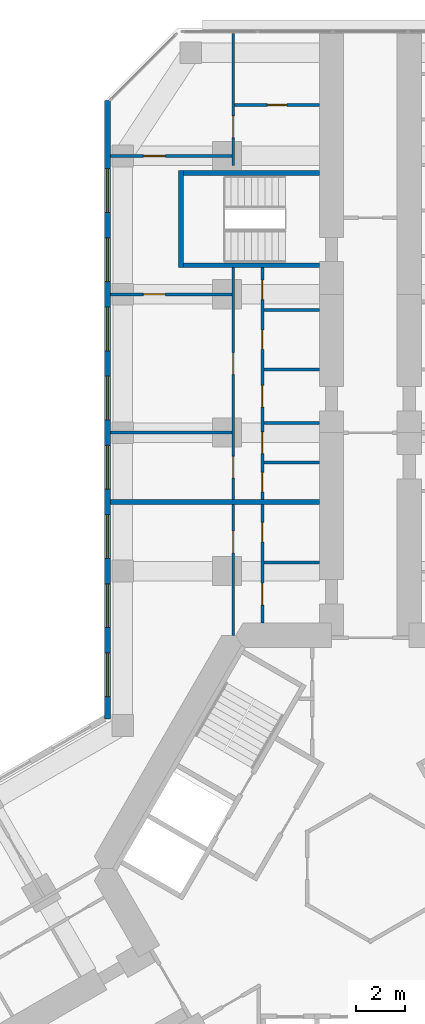
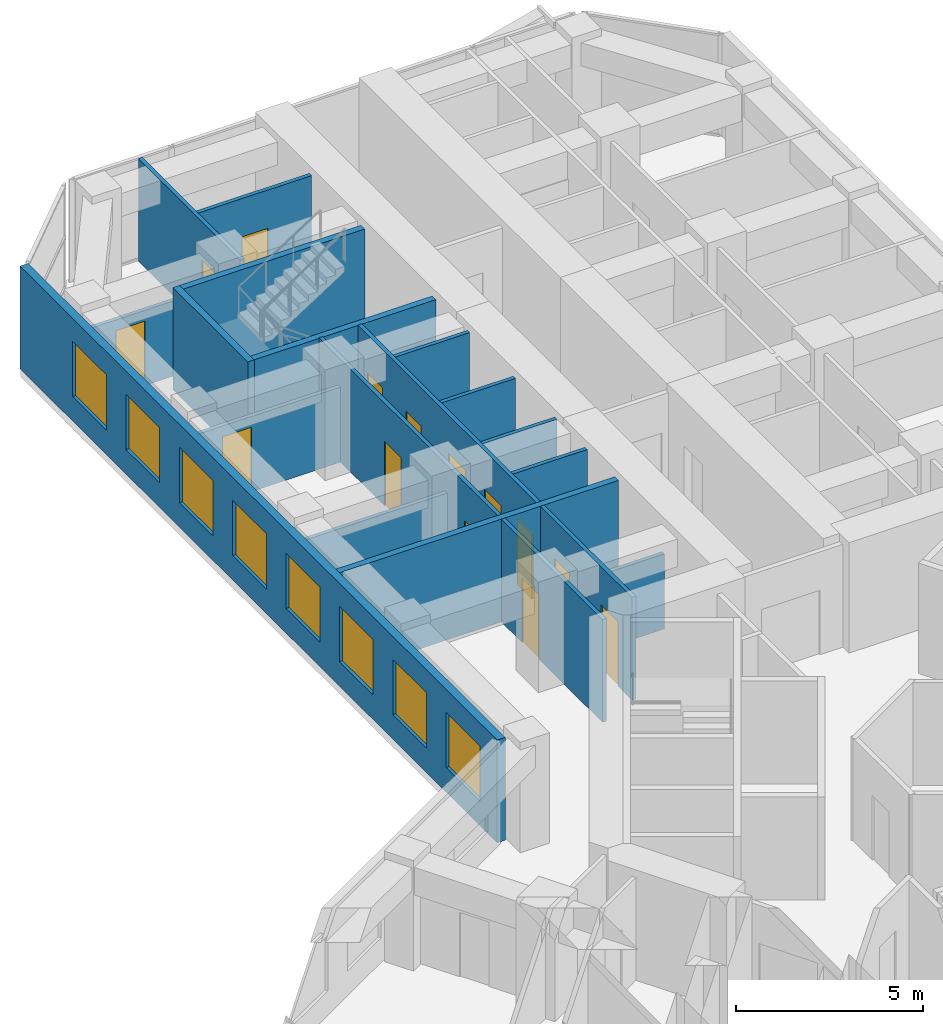
# One storey, part 17 of 21: 19 walls, 14 doors, 8 windows, 22 openings.
"""IFC4 building model written with IfcOpenShell, lengths in metres."""

import ifcopenshell
import ifcopenshell.guid

model = None  # the IFC model being written
_history = None  # IfcOwnerHistory: only IFC2X3 demands one
_inside = {}  # id of a spatial element -> (the spatial element, [elements in it])
_under = {}  # id of a project, library or spatial element -> (it, [spatial elements below it])
_declared = {}  # id of a project -> (the project, [libraries it declares])
_typed = {}  # id of a type object -> (the type object, [elements of that type])
_made_of = {}  # id of a material, layer set ... -> (it, [elements and type objects made of it])


def new_model(schema):
    """Start an empty IFC model of exactly this schema.

    Asked for "IFC4X3", IfcOpenShell would pick the latest addendum, in which some entities
    have other attributes; the version numbers below select the first issue.
    IFC2X3 requires an IfcOwnerHistory on every rooted entity: one is made here for all.
    """
    global model, _history
    if schema == "IFC4X3":
        model = ifcopenshell.file(schema_version=(4, 3, 0, 0))
    else:
        model = ifcopenshell.file(schema=schema)
    _inside.clear()
    _under.clear()
    _declared.clear()
    _typed.clear()
    _made_of.clear()
    _history = None
    if model.schema == "IFC2X3":
        org = make("IfcOrganization", Name="unknown")
        user = make(
            "IfcPersonAndOrganization",
            ThePerson=make("IfcPerson", FamilyName="unknown"),
            TheOrganization=org,
        )
        app = make(
            "IfcApplication",
            ApplicationDeveloper=org,
            Version="unknown",
            ApplicationFullName="unknown",
            ApplicationIdentifier="unknown",
        )
        _history = make(
            "IfcOwnerHistory",
            OwningUser=user,
            OwningApplication=app,
            ChangeAction="ADDED",
            CreationDate=0,
        )
    return model


def make(cls, **values):
    """One entity of the class cls with the attributes given. An attribute that is None is left unset."""
    return model.create_entity(
        cls, **{name: value for name, value in values.items() if value is not None}
    )


def rooted(cls, **values):
    """An entity with a GlobalId (a new one), such as an element, a storey or a relation."""
    return make(cls, GlobalId=ifcopenshell.guid.new(), OwnerHistory=_history, **values)


def si_unit(unit_type, name, prefix=None):
    """IfcSIUnit, for example si_unit("LENGTHUNIT", "METRE", prefix="MILLI")."""
    return make("IfcSIUnit", UnitType=unit_type, Prefix=prefix, Name=name)


def assignment(units):
    """IfcUnitAssignment: the units of a project."""
    return None if units is None else make("IfcUnitAssignment", Units=units)


def point(xyz):
    """IfcCartesianPoint."""
    return None if xyz is None else make("IfcCartesianPoint", Coordinates=xyz)


def direction(xyz):
    """IfcDirection."""
    return None if xyz is None else make("IfcDirection", DirectionRatios=xyz)


def frame(location, z_axis=None, x_axis=None):
    """IfcAxis2Placement3D, a coordinate frame: its origin and axes. An axis left out is left unset."""
    return make(
        "IfcAxis2Placement3D",
        Location=point(location),
        Axis=direction(z_axis),
        RefDirection=direction(x_axis),
    )


def frame_2d(location, x_axis=None):
    """IfcAxis2Placement2D, a coordinate frame in the plane: its origin and x axis."""
    return make(
        "IfcAxis2Placement2D", Location=point(location), RefDirection=direction(x_axis)
    )


def origin():
    """The frame at (0, 0, 0) with its axes left unset."""
    return frame((0.0, 0.0, 0.0))


def place(relative_to, where):
    """IfcLocalPlacement: puts the frame where relative to a parent placement (None: the world)."""
    return make(
        "IfcLocalPlacement", PlacementRelTo=relative_to, RelativePlacement=where
    )


def context(
    kind, dimensions, precision=None, world=None, true_north=None, identifier=None
):
    """IfcGeometricRepresentationContext, for example the 3D "Model" context."""
    return make(
        "IfcGeometricRepresentationContext",
        ContextIdentifier=identifier,
        ContextType=kind,
        CoordinateSpaceDimension=dimensions,
        Precision=precision,
        WorldCoordinateSystem=world,
        TrueNorth=true_north,
    )


def subcontext(parent, identifier, kind, view, scale=None):
    """IfcGeometricRepresentationSubContext, for example "Body" below "Model"."""
    return make(
        "IfcGeometricRepresentationSubContext",
        ContextIdentifier=identifier,
        ContextType=kind,
        ParentContext=parent,
        TargetScale=scale,
        TargetView=view,
    )


def project(units=None, contexts=None):
    """IfcProject with its units and contexts."""
    return rooted(
        "IfcProject",
        Name="project",
        RepresentationContexts=contexts,
        UnitsInContext=assignment(units),
    )


def spatial(cls, under=None, at=None, **own):
    """A site, building, storey or space (cls), placed at a placement, below another one or the project."""
    s = rooted(cls, ObjectPlacement=at, **own)
    if under is not None:
        _under.setdefault(under.id(), (under, []))[1].append(s)
    return s


def profile(cls, at=None, kind="AREA", **sizes):
    """A parametric profile (cls). Its sizes go by their IFC names, for example OverallWidth=200.0."""
    return make(cls, ProfileType=kind, Position=at, **sizes)


def rectangle(**sizes):
    """IfcRectangleProfileDef."""
    return profile("IfcRectangleProfileDef", **sizes)


def extrude(swept, where, along, depth):
    """IfcExtrudedAreaSolid: the profile swept, set in the frame where, extruded along a direction by depth."""
    return make(
        "IfcExtrudedAreaSolid",
        SweptArea=swept,
        Position=where,
        ExtrudedDirection=direction(along),
        Depth=depth,
    )


def shape(context_of_items, identifier, shape_type, items):
    """IfcShapeRepresentation: the items that make up one representation, for example the "Body"."""
    return make(
        "IfcShapeRepresentation",
        ContextOfItems=context_of_items,
        RepresentationIdentifier=identifier,
        RepresentationType=shape_type,
        Items=items,
    )


def material(Name=None, Category=None):
    """IfcMaterial."""
    return make("IfcMaterial", Name=Name, Category=Category)


def layer(
    of_material, thickness, ventilated=None, Name=None, Category=None, Priority=None
):
    """IfcMaterialLayer: one layer of a wall or slab, of a material (None: an air gap)."""
    return make(
        "IfcMaterialLayer",
        Material=of_material,
        LayerThickness=thickness,
        IsVentilated=ventilated,
        Name=Name,
        Category=Category,
        Priority=Priority,
    )


def layer_set(layers, Name=None):
    """IfcMaterialLayerSet."""
    return make("IfcMaterialLayerSet", MaterialLayers=layers, LayerSetName=Name)


def made_of(thing, what):
    """Note that an element or type object is made of a material, layer set ...; save() writes the relation."""
    if what is not None:
        _made_of.setdefault(what.id(), (what, []))[1].append(thing)
    return thing


def type_object(cls, material=None, **own):
    """A type object (cls), such as IfcWallType, which elements share."""
    return made_of(rooted(cls, **own), material)


def element(
    cls,
    number,
    at=None,
    inside=None,
    cuts=None,
    type_object=None,
    material=None,
    context=None,
    identifier="Body",
    shape_type=None,
    held_by="IfcProductDefinitionShape",
    body=None,
    shapes=None,
    **own,
):
    """One element of the class cls, such as IfcWall. Its Tag is "e" and its number.

    at: its placement. inside: the storey or other place that contains it. cuts: it is an
    opening in that element (IfcRelVoidsElement). A single representation is given by context,
    identifier, shape_type and body (its items); several are given by shapes. held_by: the class
    of the entity that holds the representations. save() writes the other relations.
    """
    e = rooted(cls, Tag="e%d" % number, ObjectPlacement=at, **own)
    if body is not None:
        shapes = [shape(context, identifier, shape_type, body)]
    if shapes is not None:
        e.Representation = make(held_by, Representations=shapes)
    if inside is not None:
        _inside.setdefault(inside.id(), (inside, []))[1].append(e)
    if cuts is not None:
        rooted(
            "IfcRelVoidsElement", RelatingBuildingElement=cuts, RelatedOpeningElement=e
        )
    if type_object is not None:
        _typed.setdefault(type_object.id(), (type_object, []))[1].append(e)
    return made_of(e, material)


def fill(opening, filler):
    """IfcRelFillsElement: the door or window that sits in an opening."""
    return rooted(
        "IfcRelFillsElement",
        RelatingOpeningElement=opening,
        RelatedBuildingElement=filler,
    )


def aggregate(whole, parts):
    """IfcRelAggregates: a whole, such as a stair, and the parts it consists of."""
    return rooted("IfcRelAggregates", RelatingObject=whole, RelatedObjects=parts)


def save(model, path):
    """Write the relations noted so far, then the file.

    IfcRelAggregates (storeys below a building ...), IfcRelContainedInSpatialStructure (elements
    in a storey), IfcRelDefinesByType, IfcRelAssociatesMaterial and IfcRelDeclares: one each for
    every whole, place, type object, material and project.
    """
    for whole, parts in _under.values():
        aggregate(whole, parts)
    for where, things in _inside.values():
        rooted(
            "IfcRelContainedInSpatialStructure",
            RelatedElements=things,
            RelatingStructure=where,
        )
    for kind, things in _typed.values():
        rooted("IfcRelDefinesByType", RelatedObjects=things, RelatingType=kind)
    for what, things in _made_of.values():
        rooted("IfcRelAssociatesMaterial", RelatedObjects=things, RelatingMaterial=what)
    for by, libraries in _declared.values():
        rooted("IfcRelDeclares", RelatingContext=by, RelatedDefinitions=libraries)
    model.write(path)


model = new_model("IFC4")

# Units and contexts
model_context = context("Model", 3, precision=1e-05, world=origin(), true_north=direction((0.0, 1.0)))
body_context = subcontext(model_context, "Body", "Model", "MODEL_VIEW")
ifc_project = project(units=[si_unit("LENGTHUNIT", "METRE"), si_unit("AREAUNIT", "SQUARE_METRE"), si_unit("VOLUMEUNIT", "CUBIC_METRE"), si_unit("PLANEANGLEUNIT", "RADIAN"), si_unit("MASSUNIT", "GRAM", prefix="KILO")], contexts=[model_context])

# Site, building, storey
site_placement = place(None, origin())
site = spatial("IfcSite", under=ifc_project, at=site_placement, CompositionType="ELEMENT")
building_placement = place(site_placement, origin())
building = spatial("IfcBuilding", under=site, at=building_placement, Name="Kosmar Iwan School Tower", CompositionType="ELEMENT")
storey_placement = place(building_placement, frame((0.0, 0.0, 102.39990234375)))
storey = spatial("IfcBuildingStorey", under=building, at=storey_placement, Name="L25", CompositionType="ELEMENT", Elevation=102.39990234375)

# Wall, openings, doors
ifc_material_1 = material(Name="Gypsum board on steel studs", Category="steel")
ifc_layer_1 = layer(ifc_material_1, 0.1201171875)
ifc_layer_set_1 = layer_set([ifc_layer_1], Name="Dwelling partition 120")
wall_type_1 = type_object("IfcWallType", Name="Dwelling partition 120", PredefinedType="PARTITIONING", material=ifc_layer_set_1)
wall_1_placement = place(storey_placement, frame((-4.449951171875, 10.10009765625, 0.0), z_axis=(0.0, 0.0, 1.0), x_axis=(0.0, 1.0, 0.0)))
wall_1 = element("IfcWall", 1, at=wall_1_placement, inside=storey, type_object=wall_type_1, Name="Partition L25-AL1-W1", PredefinedType="PARTITIONING", context=body_context, shape_type="SweptSolid", body=[
    extrude(rectangle(XDim=4.89990234375, YDim=0.1201171875, at=frame_2d((2.449951171875, 0.0))), origin(), (0.0, 0.0, 1.0), 3.35009765625),
])
opening_1_placement = place(wall_1_placement, frame((0.75, 0.0, 0.0)))
opening_1 = element("IfcOpeningElement", 2, at=opening_1_placement, cuts=wall_1, Name="Opening D2", PredefinedType="OPENING", context=body_context, shape_type="SweptSolid", body=[
    extrude(rectangle(XDim=0.89990234375, YDim=2.10009765625, at=frame_2d((0.449951171875, 1.050048828125))), frame((0.0, 0.072021484375, 0.0), z_axis=(0.0, -1.0, 0.0), x_axis=(1.0, 0.0, 0.0)), (0.0, 0.0, 1.0), 0.14404296875),
])
opening_2_placement = place(wall_1_placement, frame((3.35009765625, 0.0, 0.0)))
opening_2 = element("IfcOpeningElement", 3, at=opening_2_placement, cuts=wall_1, Name="Opening D3", PredefinedType="OPENING", context=body_context, shape_type="SweptSolid", body=[
    extrude(rectangle(XDim=0.800048828125, YDim=2.10009765625, at=frame_2d((0.39990234375, 1.050048828125))), frame((0.0, 0.072021484375, 0.0), z_axis=(0.0, -1.0, 0.0), x_axis=(1.0, 0.0, 0.0)), (0.0, 0.0, 1.0), 0.14404296875),
])
ifc_material_2 = material(Name="Timber door in timber frame", Category="wood")
door_type_1 = type_object("IfcDoorType", Name="Internal door 900x2100", OperationType="SINGLE_SWING_LEFT", PredefinedType="DOOR", material=ifc_material_2)
door_1_placement = place(opening_1_placement, origin())
door_1 = element("IfcDoor", 4, at=door_1_placement, inside=storey, type_object=door_type_1, Name="Entrance hall door L25-AL1-S1", OperationType="SINGLE_SWING_LEFT", OverallHeight=2.10009765625, OverallWidth=0.89990234375, PredefinedType="DOOR", context=body_context, shape_type="SweptSolid", body=[
    extrude(rectangle(XDim=0.89990234375, YDim=2.10009765625, at=frame_2d((0.449951171875, 1.050048828125))), frame((0.0, 0.02490234375, 0.0), z_axis=(0.0, -1.0, 0.0), x_axis=(1.0, 0.0, 0.0)), (0.0, 0.0, 1.0), 0.050048828125),
])
fill(opening_1, door_1)
ifc_material_3 = material(Name="Timber door in timber frame", Category="wood")
door_type_2 = type_object("IfcDoorType", Name="Sanitary room door 800x2100", OperationType="SINGLE_SWING_LEFT", PredefinedType="DOOR", material=ifc_material_3)
door_2_placement = place(opening_2_placement, origin())
door_2 = element("IfcDoor", 5, at=door_2_placement, inside=storey, type_object=door_type_2, Name="Bathroom door L25-AL1-S2", OperationType="SINGLE_SWING_RIGHT", OverallHeight=2.10009765625, OverallWidth=0.800048828125, PredefinedType="DOOR", context=body_context, shape_type="SweptSolid", body=[
    extrude(rectangle(XDim=0.800048828125, YDim=2.10009765625, at=frame_2d((0.39990234375, 1.050048828125))), frame((0.0, 0.02490234375, 0.0), z_axis=(0.0, -1.0, 0.0), x_axis=(1.0, 0.0, 0.0)), (0.0, 0.0, 1.0), 0.050048828125),
])
fill(opening_2, door_2)

# Wall, opening, door
wall_2_placement = place(storey_placement, frame((-5.64990234375, 9.60009765625, 0.0), z_axis=(0.0, 0.0, 1.0), x_axis=(0.0, 1.0, 0.0)))
wall_2 = element("IfcWall", 6, at=wall_2_placement, inside=storey, type_object=wall_type_1, Name="Partition L25-AL1-W2", PredefinedType="PARTITIONING", context=body_context, shape_type="SweptSolid", body=[
    extrude(rectangle(XDim=5.39990234375, YDim=0.1201171875, at=frame_2d((2.699951171875, 0.0))), origin(), (0.0, 0.0, 1.0), 3.35009765625),
])
opening_3_placement = place(wall_2_placement, frame((3.39990234375, 0.0, 0.0)))
opening_3 = element("IfcOpeningElement", 7, at=opening_3_placement, cuts=wall_2, Name="Opening D2", PredefinedType="OPENING", context=body_context, shape_type="SweptSolid", body=[
    extrude(rectangle(XDim=0.89990234375, YDim=2.10009765625, at=frame_2d((0.449951171875, 1.050048828125))), frame((0.0, 0.072021484375, 0.0), z_axis=(0.0, -1.0, 0.0), x_axis=(1.0, 0.0, 0.0)), (0.0, 0.0, 1.0), 0.14404296875),
])
door_3_placement = place(opening_3_placement, origin())
door_3 = element("IfcDoor", 8, at=door_3_placement, inside=storey, type_object=door_type_1, Name="Studio living room and kitchen door L25-AL1-F1", OperationType="SINGLE_SWING_RIGHT", OverallHeight=2.10009765625, OverallWidth=0.89990234375, PredefinedType="DOOR", context=body_context, shape_type="SweptSolid", body=[
    extrude(rectangle(XDim=0.89990234375, YDim=2.10009765625, at=frame_2d((0.449951171875, 1.050048828125))), frame((0.0, 0.02490234375, 0.0), z_axis=(0.0, -1.0, 0.0), x_axis=(1.0, 0.0, 0.0)), (0.0, 0.0, 1.0), 0.050048828125),
])
fill(opening_3, door_3)

# Wall
wall_3_placement = place(storey_placement, frame((-2.10009765625, 12.60009765625, 0.0), z_axis=(0.0, 0.0, 1.0), x_axis=(-1.0, 0.0, 0.0)))
element("IfcWall", 9, at=wall_3_placement, inside=storey, type_object=wall_type_1, Name="Partition L25-AL1-Y1", PredefinedType="PARTITIONING", context=body_context, shape_type="SweptSolid", body=[
    extrude(rectangle(XDim=2.289794921875, YDim=0.1201171875, at=frame_2d((1.14501953125, 0.0))), origin(), (0.0, 0.0, 1.0), 2.4501953125),
])

# Wall, openings, doors
wall_4_placement = place(storey_placement, frame((-4.449951171875, 15.199951171875, 0.0), z_axis=(0.0, 0.0, 1.0), x_axis=(0.0, 1.0, 0.0)))
wall_4 = element("IfcWall", 10, at=wall_4_placement, inside=storey, type_object=wall_type_1, Name="Partition L25-AL2-W1", PredefinedType="PARTITIONING", context=body_context, shape_type="SweptSolid", body=[
    extrude(rectangle(XDim=9.550048828125, YDim=0.1201171875, at=frame_2d((4.77490234375, 0.0))), origin(), (0.0, 0.0, 1.0), 3.35009765625),
])
opening_4_placement = place(wall_4_placement, frame((0.3125, 0.0, 0.0)))
opening_4 = element("IfcOpeningElement", 11, at=opening_4_placement, cuts=wall_4, Name="Opening D3", PredefinedType="OPENING", context=body_context, shape_type="SweptSolid", body=[
    extrude(rectangle(XDim=0.800048828125, YDim=2.10009765625, at=frame_2d((0.39990234375, 1.050048828125))), frame((0.0, 0.072021484375, 0.0), z_axis=(0.0, -1.0, 0.0), x_axis=(1.0, 0.0, 0.0)), (0.0, 0.0, 1.0), 0.14404296875),
])
opening_5_placement = place(wall_4_placement, frame((1.887451171875, 0.0, 0.0)))
opening_5 = element("IfcOpeningElement", 12, at=opening_5_placement, cuts=wall_4, Name="Opening D2", PredefinedType="OPENING", context=body_context, shape_type="SweptSolid", body=[
    extrude(rectangle(XDim=0.89990234375, YDim=2.10009765625, at=frame_2d((0.449951171875, 1.050048828125))), frame((0.0, 0.072021484375, 0.0), z_axis=(0.0, -1.0, 0.0), x_axis=(1.0, 0.0, 0.0)), (0.0, 0.0, 1.0), 0.14404296875),
])
opening_6_placement = place(wall_4_placement, frame((3.800048828125, 0.0, 0.0)))
opening_6 = element("IfcOpeningElement", 13, at=opening_6_placement, cuts=wall_4, Name="Opening D2", PredefinedType="OPENING", context=body_context, shape_type="SweptSolid", body=[
    extrude(rectangle(XDim=0.89990234375, YDim=2.10009765625, at=frame_2d((0.449951171875, 1.050048828125))), frame((0.0, 0.072021484375, 0.0), z_axis=(0.0, -1.0, 0.0), x_axis=(1.0, 0.0, 0.0)), (0.0, 0.0, 1.0), 0.14404296875),
])
opening_7_placement = place(wall_4_placement, frame((6.179931640625, 0.0, 0.0)))
opening_7 = element("IfcOpeningElement", 14, at=opening_7_placement, cuts=wall_4, Name="Opening D3", PredefinedType="OPENING", context=body_context, shape_type="SweptSolid", body=[
    extrude(rectangle(XDim=0.800048828125, YDim=2.10009765625, at=frame_2d((0.39990234375, 1.050048828125))), frame((0.0, 0.072021484375, 0.0), z_axis=(0.0, -1.0, 0.0), x_axis=(1.0, 0.0, 0.0)), (0.0, 0.0, 1.0), 0.14404296875),
])
opening_8_placement = place(wall_4_placement, frame((8.22998046875, 0.0, 0.0)))
opening_8 = element("IfcOpeningElement", 15, at=opening_8_placement, cuts=wall_4, Name="Opening D3", PredefinedType="OPENING", context=body_context, shape_type="SweptSolid", body=[
    extrude(rectangle(XDim=0.800048828125, YDim=2.10009765625, at=frame_2d((0.39990234375, 1.050048828125))), frame((0.0, 0.072021484375, 0.0), z_axis=(0.0, -1.0, 0.0), x_axis=(1.0, 0.0, 0.0)), (0.0, 0.0, 1.0), 0.14404296875),
])
door_4_placement = place(opening_5_placement, frame((0.89990234375, 0.0, 0.0), z_axis=(0.0, 0.0, 1.0), x_axis=(-1.0, 0.0, 0.0)))
door_4 = element("IfcDoor", 16, at=door_4_placement, inside=storey, type_object=door_type_1, Name="Pantry door L25-AL2-S2", OperationType="SINGLE_SWING_RIGHT", OverallHeight=2.10009765625, OverallWidth=0.89990234375, PredefinedType="DOOR", context=body_context, shape_type="SweptSolid", body=[
    extrude(rectangle(XDim=0.89990234375, YDim=2.10009765625, at=frame_2d((0.449951171875, 1.050048828125))), frame((0.0, 0.02490234375, 0.0), z_axis=(0.0, -1.0, 0.0), x_axis=(1.0, 0.0, 0.0)), (0.0, 0.0, 1.0), 0.050048828125),
])
fill(opening_5, door_4)
door_5_placement = place(opening_6_placement, origin())
door_5 = element("IfcDoor", 17, at=door_5_placement, inside=storey, type_object=door_type_1, Name="Entrance hall door L25-AL2-S3", OperationType="SINGLE_SWING_LEFT", OverallHeight=2.10009765625, OverallWidth=0.89990234375, PredefinedType="DOOR", context=body_context, shape_type="SweptSolid", body=[
    extrude(rectangle(XDim=0.89990234375, YDim=2.10009765625, at=frame_2d((0.449951171875, 1.050048828125))), frame((0.0, 0.02490234375, 0.0), z_axis=(0.0, -1.0, 0.0), x_axis=(1.0, 0.0, 0.0)), (0.0, 0.0, 1.0), 0.050048828125),
])
fill(opening_6, door_5)
door_6_placement = place(opening_4_placement, origin())
door_6 = element("IfcDoor", 18, at=door_6_placement, inside=storey, type_object=door_type_2, Name="Store door L25-AL2-S1", OperationType="SINGLE_SWING_LEFT", OverallHeight=2.10009765625, OverallWidth=0.800048828125, PredefinedType="DOOR", context=body_context, shape_type="SweptSolid", body=[
    extrude(rectangle(XDim=0.800048828125, YDim=2.10009765625, at=frame_2d((0.39990234375, 1.050048828125))), frame((0.0, 0.02490234375, 0.0), z_axis=(0.0, -1.0, 0.0), x_axis=(1.0, 0.0, 0.0)), (0.0, 0.0, 1.0), 0.050048828125),
])
fill(opening_4, door_6)
door_7_placement = place(opening_7_placement, origin())
door_7 = element("IfcDoor", 19, at=door_7_placement, inside=storey, type_object=door_type_2, Name="Bathroom door L25-AL2-S4", OperationType="SINGLE_SWING_RIGHT", OverallHeight=2.10009765625, OverallWidth=0.800048828125, PredefinedType="DOOR", context=body_context, shape_type="SweptSolid", body=[
    extrude(rectangle(XDim=0.800048828125, YDim=2.10009765625, at=frame_2d((0.39990234375, 1.050048828125))), frame((0.0, 0.02490234375, 0.0), z_axis=(0.0, -1.0, 0.0), x_axis=(1.0, 0.0, 0.0)), (0.0, 0.0, 1.0), 0.050048828125),
])
fill(opening_7, door_7)
door_8_placement = place(opening_8_placement, origin())
door_8 = element("IfcDoor", 20, at=door_8_placement, inside=storey, type_object=door_type_2, Name="WC door L25-AL2-S5", OperationType="SINGLE_SWING_RIGHT", OverallHeight=2.10009765625, OverallWidth=0.800048828125, PredefinedType="DOOR", context=body_context, shape_type="SweptSolid", body=[
    extrude(rectangle(XDim=0.800048828125, YDim=2.10009765625, at=frame_2d((0.39990234375, 1.050048828125))), frame((0.0, 0.02490234375, 0.0), z_axis=(0.0, -1.0, 0.0), x_axis=(1.0, 0.0, 0.0)), (0.0, 0.0, 1.0), 0.050048828125),
])
fill(opening_8, door_8)

wall_5_placement = place(storey_placement, frame((-5.64990234375, 15.199951171875, 0.0), z_axis=(0.0, 0.0, 1.0), x_axis=(0.0, 1.0, 0.0)))
wall_5 = element("IfcWall", 21, at=wall_5_placement, inside=storey, type_object=wall_type_1, Name="Partition L25-AL2-W2", PredefinedType="PARTITIONING", context=body_context, shape_type="SweptSolid", body=[
    extrude(rectangle(XDim=9.550048828125, YDim=0.1201171875, at=frame_2d((4.77490234375, 0.0))), origin(), (0.0, 0.0, 1.0), 3.35009765625),
])
opening_9_placement = place(wall_5_placement, frame((0.875, 0.0, 0.0)))
opening_9 = element("IfcOpeningElement", 22, at=opening_9_placement, cuts=wall_5, Name="Opening D2", PredefinedType="OPENING", context=body_context, shape_type="SweptSolid", body=[
    extrude(rectangle(XDim=0.89990234375, YDim=2.10009765625, at=frame_2d((0.449951171875, 1.050048828125))), frame((0.0, 0.072021484375, 0.0), z_axis=(0.0, -1.0, 0.0), x_axis=(1.0, 0.0, 0.0)), (0.0, 0.0, 1.0), 0.14404296875),
])
opening_10_placement = place(wall_5_placement, frame((5.14990234375, 0.0, 0.0)))
opening_10 = element("IfcOpeningElement", 23, at=opening_10_placement, cuts=wall_5, Name="Opening D2", PredefinedType="OPENING", context=body_context, shape_type="SweptSolid", body=[
    extrude(rectangle(XDim=0.89990234375, YDim=2.10009765625, at=frame_2d((0.449951171875, 1.050048828125))), frame((0.0, 0.072021484375, 0.0), z_axis=(0.0, -1.0, 0.0), x_axis=(1.0, 0.0, 0.0)), (0.0, 0.0, 1.0), 0.14404296875),
])
door_9_placement = place(opening_9_placement, origin())
door_9 = element("IfcDoor", 24, at=door_9_placement, inside=storey, type_object=door_type_1, Name="Bedroom 1 door L25-AL2-F1", OperationType="SINGLE_SWING_RIGHT", OverallHeight=2.10009765625, OverallWidth=0.89990234375, PredefinedType="DOOR", context=body_context, shape_type="SweptSolid", body=[
    extrude(rectangle(XDim=0.89990234375, YDim=2.10009765625, at=frame_2d((0.449951171875, 1.050048828125))), frame((0.0, 0.02490234375, 0.0), z_axis=(0.0, -1.0, 0.0), x_axis=(1.0, 0.0, 0.0)), (0.0, 0.0, 1.0), 0.050048828125),
])
fill(opening_9, door_9)
door_10_placement = place(opening_10_placement, origin())
door_10 = element("IfcDoor", 25, at=door_10_placement, inside=storey, type_object=door_type_1, Name="Living room and kitchen door L25-AL2-F2", OperationType="SINGLE_SWING_LEFT", OverallHeight=2.10009765625, OverallWidth=0.89990234375, PredefinedType="DOOR", context=body_context, shape_type="SweptSolid", body=[
    extrude(rectangle(XDim=0.89990234375, YDim=2.10009765625, at=frame_2d((0.449951171875, 1.050048828125))), frame((0.0, 0.02490234375, 0.0), z_axis=(0.0, -1.0, 0.0), x_axis=(1.0, 0.0, 0.0)), (0.0, 0.0, 1.0), 0.050048828125),
])
fill(opening_10, door_10)

# Walls
wall_6_placement = place(storey_placement, frame((-5.7099609375, 17.949951171875, 0.0), z_axis=(0.0, 0.0, 1.0), x_axis=(-1.0, 0.0, 0.0)))
element("IfcWall", 26, at=wall_6_placement, inside=storey, type_object=wall_type_1, Name="Partition L25-AL2-X1", PredefinedType="PARTITIONING", context=body_context, shape_type="SweptSolid", body=[
    extrude(rectangle(XDim=4.989990234375, YDim=0.1201171875, at=frame_2d((2.4951171875, 0.0))), origin(), (0.0, 0.0, 1.0), 2.4501953125),
])
for number, where, z_axis, x_axis, name in (
    (27, (-2.10009765625, 16.72509765625, 0.0), (0.0, 0.0, 1.0), (-1.0, 0.0, 0.0), "Partition L25-AL2-Y1"),
    (28, (-2.10009765625, 18.35009765625, 0.0), (0.0, 0.0, 1.0), (-1.0, 0.0, 0.0), "Partition L25-AL2-Y2"),
    (29, (-2.10009765625, 20.550048828125, 0.0), (0.0, 0.0, 1.0), (-1.0, 0.0, 0.0), "Partition L25-AL2-Y3"),
    (30, (-2.10009765625, 23.010009765625, 0.0), (0.0, 0.0, 1.0), (-1.0, 0.0, 0.0), "Partition L25-AL2-Y4"),
):
    element("IfcWall", number, at=place(storey_placement, frame(where, z_axis=z_axis, x_axis=x_axis)), inside=storey, type_object=wall_type_1, Name=name, PredefinedType="PARTITIONING", context=body_context, shape_type="SweptSolid", body=[
        extrude(rectangle(XDim=2.289794921875, YDim=0.1201171875, at=frame_2d((1.14501953125, 0.0))), origin(), (0.0, 0.0, 1.0), 3.35009765625),
    ])

# Wall, opening, door
wall_7_placement = place(storey_placement, frame((-5.7099609375, 23.64990234375, 0.0), z_axis=(0.0, 0.0, 1.0), x_axis=(-1.0, 0.0, 0.0)))
wall_7 = element("IfcWall", 31, at=wall_7_placement, inside=storey, type_object=wall_type_1, Name="Partition L25-AL2-TB", PredefinedType="PARTITIONING", context=body_context, shape_type="SweptSolid", body=[
    extrude(rectangle(XDim=4.989990234375, YDim=0.1201171875, at=frame_2d((2.4951171875, 0.0))), origin(), (0.0, 0.0, 1.0), 2.4501953125),
])
opening_11_placement = place(wall_7_placement, frame((2.739990234375, 0.0, 0.0)))
opening_11 = element("IfcOpeningElement", 32, at=opening_11_placement, cuts=wall_7, Name="Opening D2", PredefinedType="OPENING", context=body_context, shape_type="SweptSolid", body=[
    extrude(rectangle(XDim=0.89990234375, YDim=2.10009765625, at=frame_2d((0.449951171875, 1.050048828125))), frame((0.0, 0.072021484375, 0.0), z_axis=(0.0, -1.0, 0.0), x_axis=(1.0, 0.0, 0.0)), (0.0, 0.0, 1.0), 0.14404296875),
])
door_11_placement = place(opening_11_placement, origin())
door_11 = element("IfcDoor", 33, at=door_11_placement, inside=storey, type_object=door_type_1, Name="Study door L25-AL2-F2", OperationType="SINGLE_SWING_RIGHT", OverallHeight=2.10009765625, OverallWidth=0.89990234375, PredefinedType="DOOR", context=body_context, shape_type="SweptSolid", body=[
    extrude(rectangle(XDim=0.89990234375, YDim=2.10009765625, at=frame_2d((0.449951171875, 1.050048828125))), frame((0.0, 0.02490234375, 0.0), z_axis=(0.0, -1.0, 0.0), x_axis=(1.0, 0.0, 0.0)), (0.0, 0.0, 1.0), 0.050048828125),
])
fill(opening_11, door_11)

wall_8_placement = place(storey_placement, frame((-5.7099609375, 29.35009765625, 0.0), z_axis=(0.0, 0.0, 1.0), x_axis=(-1.0, 0.0, 0.0)))
wall_8 = element("IfcWall", 34, at=wall_8_placement, inside=storey, type_object=wall_type_1, Name="Partition L25-AL2-TX", PredefinedType="PARTITIONING", context=body_context, shape_type="SweptSolid", body=[
    extrude(rectangle(XDim=4.989990234375, YDim=0.1201171875, at=frame_2d((2.4951171875, 0.0))), origin(), (0.0, 0.0, 1.0), 2.4501953125),
])
opening_12_placement = place(wall_8_placement, frame((2.739990234375, 0.0, 0.0)))
opening_12 = element("IfcOpeningElement", 35, at=opening_12_placement, cuts=wall_8, Name="Opening D2", PredefinedType="OPENING", context=body_context, shape_type="SweptSolid", body=[
    extrude(rectangle(XDim=0.89990234375, YDim=2.10009765625, at=frame_2d((0.449951171875, 1.050048828125))), frame((0.0, 0.072021484375, 0.0), z_axis=(0.0, -1.0, 0.0), x_axis=(1.0, 0.0, 0.0)), (0.0, 0.0, 1.0), 0.14404296875),
])
door_12_placement = place(opening_12_placement, origin())
door_12 = element("IfcDoor", 36, at=door_12_placement, inside=storey, type_object=door_type_1, Name="Study door L25-AL2-T1", OperationType="SINGLE_SWING_RIGHT", OverallHeight=2.10009765625, OverallWidth=0.89990234375, PredefinedType="DOOR", context=body_context, shape_type="SweptSolid", body=[
    extrude(rectangle(XDim=0.89990234375, YDim=2.10009765625, at=frame_2d((0.449951171875, 1.050048828125))), frame((0.0, 0.02490234375, 0.0), z_axis=(0.0, -1.0, 0.0), x_axis=(1.0, 0.0, 0.0)), (0.0, 0.0, 1.0), 0.050048828125),
])
fill(opening_12, door_12)

wall_9_placement = place(storey_placement, frame((-5.64990234375, 28.949951171875, 0.0), z_axis=(0.0, 0.0, 1.0), x_axis=(0.0, 1.0, 0.0)))
wall_9 = element("IfcWall", 37, at=wall_9_placement, inside=storey, type_object=wall_type_1, Name="Partition L25-AL2-TW", PredefinedType="PARTITIONING", context=body_context, shape_type="SweptSolid", body=[
    extrude(rectangle(XDim=5.445068359375, YDim=0.1201171875, at=frame_2d((2.72265625, 0.0))), origin(), (0.0, 0.0, 1.0), 3.35009765625),
])
opening_13_placement = place(wall_9_placement, frame((1.14990234375, 0.0, 0.0)))
opening_13 = element("IfcOpeningElement", 38, at=opening_13_placement, cuts=wall_9, Name="Opening D2", PredefinedType="OPENING", context=body_context, shape_type="SweptSolid", body=[
    extrude(rectangle(XDim=0.89990234375, YDim=2.10009765625, at=frame_2d((0.449951171875, 1.050048828125))), frame((0.0, 0.072021484375, 0.0), z_axis=(0.0, -1.0, 0.0), x_axis=(1.0, 0.0, 0.0)), (0.0, 0.0, 1.0), 0.14404296875),
])
door_13_placement = place(opening_13_placement, origin())
door_13 = element("IfcDoor", 39, at=door_13_placement, inside=storey, type_object=door_type_1, Name="Dressing room door L25-AL2-T3", OperationType="SINGLE_SWING_LEFT", OverallHeight=2.10009765625, OverallWidth=0.89990234375, PredefinedType="DOOR", context=body_context, shape_type="SweptSolid", body=[
    extrude(rectangle(XDim=0.89990234375, YDim=2.10009765625, at=frame_2d((0.449951171875, 1.050048828125))), frame((0.0, 0.02490234375, 0.0), z_axis=(0.0, -1.0, 0.0), x_axis=(1.0, 0.0, 0.0)), (0.0, 0.0, 1.0), 0.050048828125),
])
fill(opening_13, door_13)

wall_10_placement = place(storey_placement, frame((-2.10009765625, 31.449951171875, 0.0), z_axis=(0.0, 0.0, 1.0), x_axis=(-1.0, 0.0, 0.0)))
wall_10 = element("IfcWall", 40, at=wall_10_placement, inside=storey, type_object=wall_type_1, Name="Partition L25-AL2-TY", PredefinedType="PARTITIONING", context=body_context, shape_type="SweptSolid", body=[
    extrude(rectangle(XDim=3.489990234375, YDim=0.1201171875, at=frame_2d((1.7451171875, 0.0))), origin(), (0.0, 0.0, 1.0), 3.35009765625),
])
opening_14_placement = place(wall_10_placement, frame((1.344970703125, 0.0, 0.0)))
opening_14 = element("IfcOpeningElement", 41, at=opening_14_placement, cuts=wall_10, Name="Opening D3", PredefinedType="OPENING", context=body_context, shape_type="SweptSolid", body=[
    extrude(rectangle(XDim=0.800048828125, YDim=2.10009765625, at=frame_2d((0.39990234375, 1.050048828125))), frame((0.0, 0.072021484375, 0.0), z_axis=(0.0, -1.0, 0.0), x_axis=(1.0, 0.0, 0.0)), (0.0, 0.0, 1.0), 0.14404296875),
])
door_14_placement = place(opening_14_placement, origin())
door_14 = element("IfcDoor", 42, at=door_14_placement, inside=storey, type_object=door_type_2, Name="Shower room door L25-AL2-T4", OperationType="SINGLE_SWING_LEFT", OverallHeight=2.10009765625, OverallWidth=0.800048828125, PredefinedType="DOOR", context=body_context, shape_type="SweptSolid", body=[
    extrude(rectangle(XDim=0.800048828125, YDim=2.10009765625, at=frame_2d((0.39990234375, 1.050048828125))), frame((0.0, 0.02490234375, 0.0), z_axis=(0.0, -1.0, 0.0), x_axis=(1.0, 0.0, 0.0)), (0.0, 0.0, 1.0), 0.050048828125),
])
fill(opening_14, door_14)

# Walls
ifc_material_4 = material(Name="Concrete C35/45", Category="concrete")
ifc_layer_2 = layer(ifc_material_4, 0.199951171875)
ifc_layer_set_2 = layer_set([ifc_layer_2], Name="Escape stair wall 200")
wall_type_2 = type_object("IfcWallType", Name="Escape stair wall 200", PredefinedType="SHEAR", material=ifc_layer_set_2)
for number, where, z_axis, x_axis, name in (
    (43, (-2.10009765625, 24.85009765625, 0.0), (0.0, 0.0, 1.0), (-1.0, 0.0, 0.0), "Stair WS1 wall"),
    (44, (-2.10009765625, 28.64990234375, 0.0), (0.0, 0.0, 1.0), (-1.0, 0.0, 0.0), "Stair WS1 wall"),
):
    element("IfcWall", number, at=place(storey_placement, frame(where, z_axis=z_axis, x_axis=x_axis)), inside=storey, type_object=wall_type_2, Name=name, PredefinedType="SHEAR", context=body_context, shape_type="SweptSolid", body=[
        extrude(rectangle(XDim=5.7998046875, YDim=0.199951171875, at=frame_2d((2.89990234375, 0.0))), origin(), (0.0, 0.0, 1.0), 3.330078125),
    ])
wall_11_placement = place(storey_placement, frame((-7.800048828125, 24.75, 0.0), z_axis=(0.0, 0.0, 1.0), x_axis=(0.0, 1.0, 0.0)))
element("IfcWall", 45, at=wall_11_placement, inside=storey, type_object=wall_type_2, Name="Stair WS1 wall", PredefinedType="SHEAR", context=body_context, shape_type="SweptSolid", body=[
    extrude(rectangle(XDim=4.0, YDim=0.199951171875, at=frame_2d((2.0, 0.0))), origin(), (0.0, 0.0, 1.0), 3.330078125),
])

# Wall, openings, windows
ifc_material_5 = material(Name="Black aluminium rainscreen on insulated framing", Category="aluminium")
ifc_layer_3 = layer(ifc_material_5, 0.25)
ifc_layer_set_3 = layer_set([ifc_layer_3], Name="External wall rainscreen 250")
wall_type_3 = type_object("IfcWallType", Name="External wall rainscreen 250", PredefinedType="SOLIDWALL", material=ifc_layer_set_3)
wall_12_placement = place(storey_placement, frame((-10.824951171875, 6.14794921875, 0.0), z_axis=(0.0, 0.0, 1.0), x_axis=(0.0, 1.0, 0.0)))
wall_12 = element("IfcWall", 46, at=wall_12_placement, inside=storey, type_object=wall_type_3, Name="External wall AL L25", PredefinedType="SOLIDWALL", context=body_context, shape_type="SweptSolid", body=[
    extrude(rectangle(XDim=25.4873046875, YDim=0.25, at=frame_2d((12.74365234375, 0.0))), origin(), (0.0, 0.0, 1.0), 3.35009765625),
])
opening_15_placement = place(wall_12_placement, frame((0.927001953125, 0.0, 0.800048828125)))
opening_15 = element("IfcOpeningElement", 47, at=opening_15_placement, cuts=wall_12, Name="Opening W1", PredefinedType="OPENING", context=body_context, shape_type="SweptSolid", body=[
    extrude(rectangle(XDim=1.800048828125, YDim=1.800048828125, at=frame_2d((0.89990234375, 0.89990234375))), frame((0.0, 0.136962890625, 0.0), z_axis=(0.0, -1.0, 0.0), x_axis=(1.0, 0.0, 0.0)), (0.0, 0.0, 1.0), 0.27392578125),
])
opening_16_placement = place(wall_12_placement, frame((3.777099609375, 0.0, 0.800048828125)))
opening_16 = element("IfcOpeningElement", 48, at=opening_16_placement, cuts=wall_12, Name="Opening W1", PredefinedType="OPENING", context=body_context, shape_type="SweptSolid", body=[
    extrude(rectangle(XDim=1.800048828125, YDim=1.800048828125, at=frame_2d((0.89990234375, 0.89990234375))), frame((0.0, 0.136962890625, 0.0), z_axis=(0.0, -1.0, 0.0), x_axis=(1.0, 0.0, 0.0)), (0.0, 0.0, 1.0), 0.27392578125),
])
opening_17_placement = place(wall_12_placement, frame((6.626953125, 0.0, 0.800048828125)))
opening_17 = element("IfcOpeningElement", 49, at=opening_17_placement, cuts=wall_12, Name="Opening W1", PredefinedType="OPENING", context=body_context, shape_type="SweptSolid", body=[
    extrude(rectangle(XDim=1.800048828125, YDim=1.800048828125, at=frame_2d((0.89990234375, 0.89990234375))), frame((0.0, 0.136962890625, 0.0), z_axis=(0.0, -1.0, 0.0), x_axis=(1.0, 0.0, 0.0)), (0.0, 0.0, 1.0), 0.27392578125),
])
opening_18_placement = place(wall_12_placement, frame((9.47705078125, 0.0, 0.800048828125)))
opening_18 = element("IfcOpeningElement", 50, at=opening_18_placement, cuts=wall_12, Name="Opening W1", PredefinedType="OPENING", context=body_context, shape_type="SweptSolid", body=[
    extrude(rectangle(XDim=1.800048828125, YDim=1.800048828125, at=frame_2d((0.89990234375, 0.89990234375))), frame((0.0, 0.136962890625, 0.0), z_axis=(0.0, -1.0, 0.0), x_axis=(1.0, 0.0, 0.0)), (0.0, 0.0, 1.0), 0.27392578125),
])
opening_19_placement = place(wall_12_placement, frame((12.326904296875, 0.0, 0.800048828125)))
opening_19 = element("IfcOpeningElement", 51, at=opening_19_placement, cuts=wall_12, Name="Opening W1", PredefinedType="OPENING", context=body_context, shape_type="SweptSolid", body=[
    extrude(rectangle(XDim=1.800048828125, YDim=1.800048828125, at=frame_2d((0.89990234375, 0.89990234375))), frame((0.0, 0.136962890625, 0.0), z_axis=(0.0, -1.0, 0.0), x_axis=(1.0, 0.0, 0.0)), (0.0, 0.0, 1.0), 0.27392578125),
])
opening_20_placement = place(wall_12_placement, frame((15.177001953125, 0.0, 0.800048828125)))
opening_20 = element("IfcOpeningElement", 52, at=opening_20_placement, cuts=wall_12, Name="Opening W1", PredefinedType="OPENING", context=body_context, shape_type="SweptSolid", body=[
    extrude(rectangle(XDim=1.800048828125, YDim=1.800048828125, at=frame_2d((0.89990234375, 0.89990234375))), frame((0.0, 0.136962890625, 0.0), z_axis=(0.0, -1.0, 0.0), x_axis=(1.0, 0.0, 0.0)), (0.0, 0.0, 1.0), 0.27392578125),
])
opening_21_placement = place(wall_12_placement, frame((18.027099609375, 0.0, 0.800048828125)))
opening_21 = element("IfcOpeningElement", 53, at=opening_21_placement, cuts=wall_12, Name="Opening W1", PredefinedType="OPENING", context=body_context, shape_type="SweptSolid", body=[
    extrude(rectangle(XDim=1.800048828125, YDim=1.800048828125, at=frame_2d((0.89990234375, 0.89990234375))), frame((0.0, 0.136962890625, 0.0), z_axis=(0.0, -1.0, 0.0), x_axis=(1.0, 0.0, 0.0)), (0.0, 0.0, 1.0), 0.27392578125),
])
opening_22_placement = place(wall_12_placement, frame((20.876953125, 0.0, 0.800048828125)))
opening_22 = element("IfcOpeningElement", 54, at=opening_22_placement, cuts=wall_12, Name="Opening W1", PredefinedType="OPENING", context=body_context, shape_type="SweptSolid", body=[
    extrude(rectangle(XDim=1.800048828125, YDim=1.800048828125, at=frame_2d((0.89990234375, 0.89990234375))), frame((0.0, 0.136962890625, 0.0), z_axis=(0.0, -1.0, 0.0), x_axis=(1.0, 0.0, 0.0)), (0.0, 0.0, 1.0), 0.27392578125),
])
ifc_material_6 = material(Name="Black aluminium frame with dark triple glazing", Category="aluminium")
window_type = type_object("IfcWindowType", Name="Window 1800x1800", PartitioningType="SINGLE_PANEL", PredefinedType="WINDOW", material=ifc_material_6)
window_1_placement = place(opening_15_placement, origin())
window_1 = element("IfcWindow", 55, at=window_1_placement, inside=storey, type_object=window_type, Name="Window AL L25 -1", OverallHeight=1.800048828125, OverallWidth=1.800048828125, PartitioningType="SINGLE_PANEL", PredefinedType="WINDOW", context=body_context, shape_type="SweptSolid", body=[
    extrude(rectangle(XDim=1.800048828125, YDim=1.800048828125, at=frame_2d((0.89990234375, 0.89990234375))), frame((0.0, 0.030029296875, 0.0), z_axis=(0.0, -1.0, 0.0), x_axis=(1.0, 0.0, 0.0)), (0.0, 0.0, 1.0), 0.06005859375),
])
fill(opening_15, window_1)
window_2_placement = place(opening_16_placement, origin())
window_2 = element("IfcWindow", 56, at=window_2_placement, inside=storey, type_object=window_type, Name="Window AL L25 0", OverallHeight=1.800048828125, OverallWidth=1.800048828125, PartitioningType="SINGLE_PANEL", PredefinedType="WINDOW", context=body_context, shape_type="SweptSolid", body=[
    extrude(rectangle(XDim=1.800048828125, YDim=1.800048828125, at=frame_2d((0.89990234375, 0.89990234375))), frame((0.0, 0.030029296875, 0.0), z_axis=(0.0, -1.0, 0.0), x_axis=(1.0, 0.0, 0.0)), (0.0, 0.0, 1.0), 0.06005859375),
])
fill(opening_16, window_2)
window_3_placement = place(opening_17_placement, origin())
window_3 = element("IfcWindow", 57, at=window_3_placement, inside=storey, type_object=window_type, Name="Window AL L25 1", OverallHeight=1.800048828125, OverallWidth=1.800048828125, PartitioningType="SINGLE_PANEL", PredefinedType="WINDOW", context=body_context, shape_type="SweptSolid", body=[
    extrude(rectangle(XDim=1.800048828125, YDim=1.800048828125, at=frame_2d((0.89990234375, 0.89990234375))), frame((0.0, 0.030029296875, 0.0), z_axis=(0.0, -1.0, 0.0), x_axis=(1.0, 0.0, 0.0)), (0.0, 0.0, 1.0), 0.06005859375),
])
fill(opening_17, window_3)
window_4_placement = place(opening_18_placement, origin())
window_4 = element("IfcWindow", 58, at=window_4_placement, inside=storey, type_object=window_type, Name="Window AL L25 2", OverallHeight=1.800048828125, OverallWidth=1.800048828125, PartitioningType="SINGLE_PANEL", PredefinedType="WINDOW", context=body_context, shape_type="SweptSolid", body=[
    extrude(rectangle(XDim=1.800048828125, YDim=1.800048828125, at=frame_2d((0.89990234375, 0.89990234375))), frame((0.0, 0.030029296875, 0.0), z_axis=(0.0, -1.0, 0.0), x_axis=(1.0, 0.0, 0.0)), (0.0, 0.0, 1.0), 0.06005859375),
])
fill(opening_18, window_4)
window_5_placement = place(opening_19_placement, origin())
window_5 = element("IfcWindow", 59, at=window_5_placement, inside=storey, type_object=window_type, Name="Window AL L25 3", OverallHeight=1.800048828125, OverallWidth=1.800048828125, PartitioningType="SINGLE_PANEL", PredefinedType="WINDOW", context=body_context, shape_type="SweptSolid", body=[
    extrude(rectangle(XDim=1.800048828125, YDim=1.800048828125, at=frame_2d((0.89990234375, 0.89990234375))), frame((0.0, 0.030029296875, 0.0), z_axis=(0.0, -1.0, 0.0), x_axis=(1.0, 0.0, 0.0)), (0.0, 0.0, 1.0), 0.06005859375),
])
fill(opening_19, window_5)
window_6_placement = place(opening_20_placement, origin())
window_6 = element("IfcWindow", 60, at=window_6_placement, inside=storey, type_object=window_type, Name="Window AL L25 4", OverallHeight=1.800048828125, OverallWidth=1.800048828125, PartitioningType="SINGLE_PANEL", PredefinedType="WINDOW", context=body_context, shape_type="SweptSolid", body=[
    extrude(rectangle(XDim=1.800048828125, YDim=1.800048828125, at=frame_2d((0.89990234375, 0.89990234375))), frame((0.0, 0.030029296875, 0.0), z_axis=(0.0, -1.0, 0.0), x_axis=(1.0, 0.0, 0.0)), (0.0, 0.0, 1.0), 0.06005859375),
])
fill(opening_20, window_6)
window_7_placement = place(opening_21_placement, origin())
window_7 = element("IfcWindow", 61, at=window_7_placement, inside=storey, type_object=window_type, Name="Window AL L25 5", OverallHeight=1.800048828125, OverallWidth=1.800048828125, PartitioningType="SINGLE_PANEL", PredefinedType="WINDOW", context=body_context, shape_type="SweptSolid", body=[
    extrude(rectangle(XDim=1.800048828125, YDim=1.800048828125, at=frame_2d((0.89990234375, 0.89990234375))), frame((0.0, 0.030029296875, 0.0), z_axis=(0.0, -1.0, 0.0), x_axis=(1.0, 0.0, 0.0)), (0.0, 0.0, 1.0), 0.06005859375),
])
fill(opening_21, window_7)
window_8_placement = place(opening_22_placement, origin())
window_8 = element("IfcWindow", 62, at=window_8_placement, inside=storey, type_object=window_type, Name="Window AL L25 6", OverallHeight=1.800048828125, OverallWidth=1.800048828125, PartitioningType="SINGLE_PANEL", PredefinedType="WINDOW", context=body_context, shape_type="SweptSolid", body=[
    extrude(rectangle(XDim=1.800048828125, YDim=1.800048828125, at=frame_2d((0.89990234375, 0.89990234375))), frame((0.0, 0.030029296875, 0.0), z_axis=(0.0, -1.0, 0.0), x_axis=(1.0, 0.0, 0.0)), (0.0, 0.0, 1.0), 0.06005859375),
])
fill(opening_22, window_8)

# Wall
ifc_material_7 = material(Name="Concrete block masonry", Category="masonry")
ifc_layer_4 = layer(ifc_material_7, 0.199951171875)
ifc_layer_set_4 = layer_set([ifc_layer_4], Name="Party wall 200")
wall_type_4 = type_object("IfcWallType", Name="Party wall 200", PredefinedType="PARTITIONING", material=ifc_layer_set_4)
wall_13_placement = place(storey_placement, frame((-2.10009765625, 15.10009765625, 0.0), z_axis=(0.0, 0.0, 1.0), x_axis=(-1.0, 0.0, 0.0)))
element("IfcWall", 63, at=wall_13_placement, inside=storey, type_object=wall_type_4, Name="Partition L25-AL2-PW", PredefinedType="PARTITIONING", context=body_context, shape_type="SweptSolid", body=[
    extrude(rectangle(XDim=8.599853515625, YDim=0.199951171875, at=frame_2d((4.2998046875, 0.0))), origin(), (0.0, 0.0, 1.0), 3.35009765625),
])

save(model, "model.ifc")
